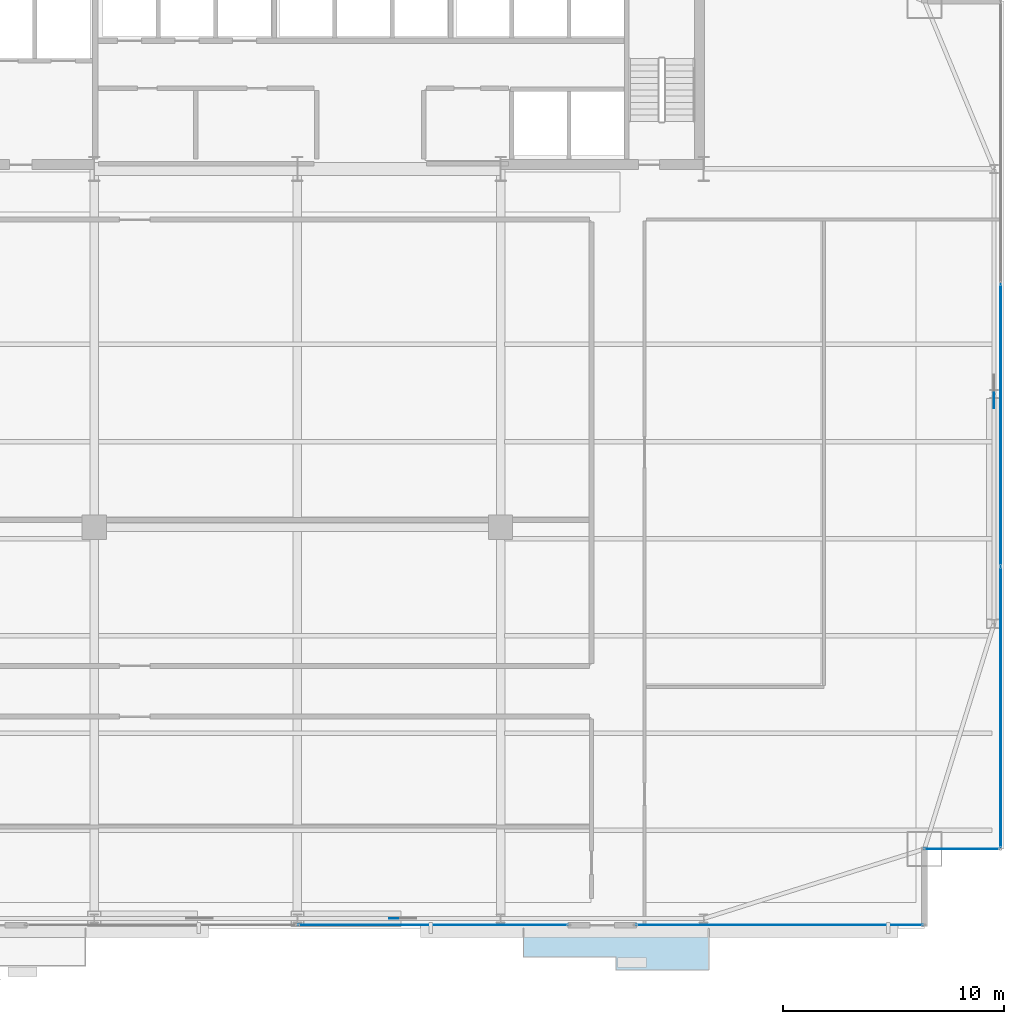
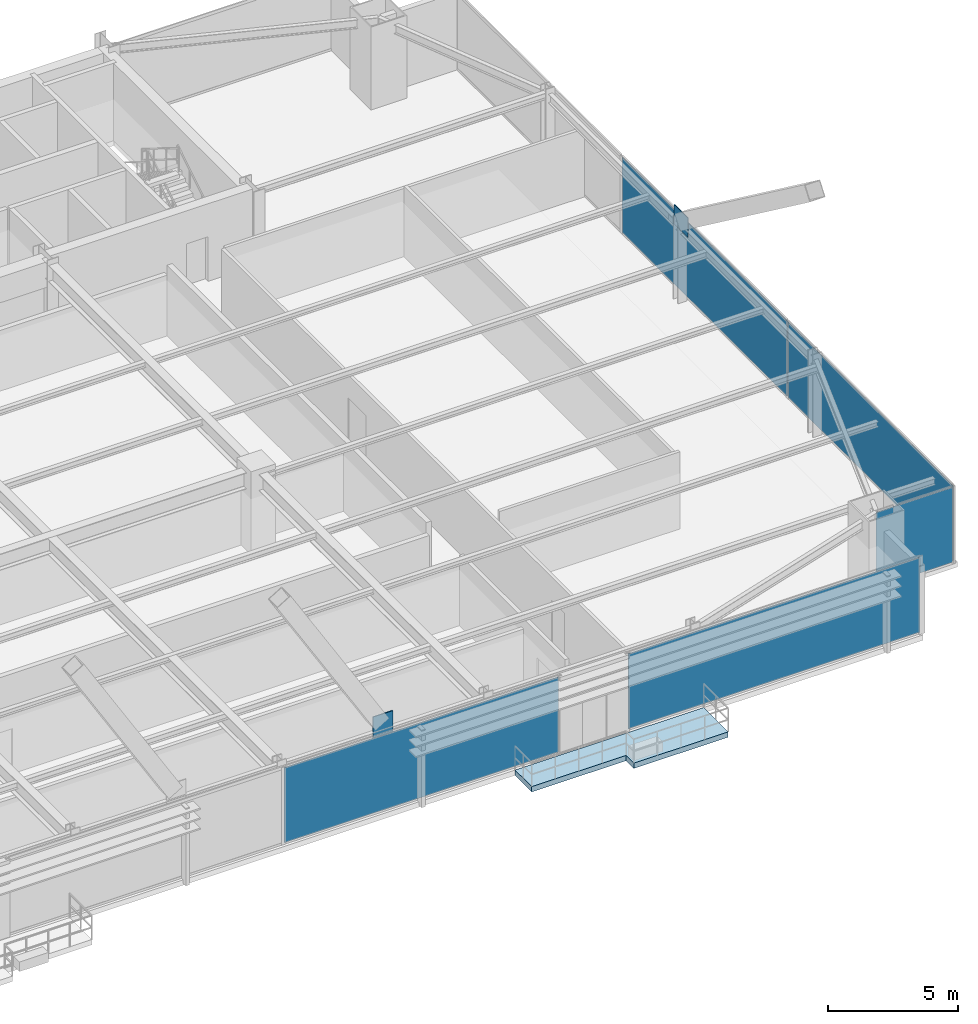
# One storey, part 26 of 34: 7 plates, 1 slab, 4 elements without a shape of their own.
"""IFC4 building model written with IfcOpenShell, lengths in metres."""

from ifc_helpers import new_model, si_unit, direction, frame, origin, origin_2d, place, context, subcontext, project, spatial, polyline, rectangle, outline, extrude, source, transform, mapped, material, layer, layer_set, type_object, type_shapes, element, aggregate, save


model = new_model("IFC4")

# Units and contexts
model_context = context("Model", 3, precision=1e-05, world=origin(), true_north=direction((0.0, 1.0)))
body_context = subcontext(model_context, "Body", "Model", "MODEL_VIEW")
ifc_project = project(units=[si_unit("LENGTHUNIT", "METRE"), si_unit("AREAUNIT", "SQUARE_METRE"), si_unit("VOLUMEUNIT", "CUBIC_METRE"), si_unit("PLANEANGLEUNIT", "RADIAN"), si_unit("MASSUNIT", "GRAM", prefix="KILO")], contexts=[model_context])

# Site, building, storey
site_placement = place(None, origin())
site = spatial("IfcSite", under=ifc_project, at=site_placement, CompositionType="ELEMENT")
building_placement = place(site_placement, origin())
building = spatial("IfcBuilding", under=site, at=building_placement, Name="Varnel Quay Broadcast Tower", CompositionType="ELEMENT")
storey_placement = place(building_placement, frame((0.0, 0.0, 47.10009765625)))
storey = spatial("IfcBuildingStorey", under=building, at=storey_placement, Name="L10", CompositionType="ELEMENT", Elevation=47.10009765625)

# Slab
ifc_material_1 = material(Name="Concrete CSA A23.3 C40/50", Category="concrete")
ifc_layer_1 = layer(ifc_material_1, 0.25, Name="Concrete CSA A23.3 C40/50")
ifc_layer_set_1 = layer_set([ifc_layer_1], Name="Concrete CSA A23.3 C40/50")
slab_type = type_object("IfcSlabType", Name="Slab_ExtTerrace250", PredefinedType="FLOOR", material=ifc_layer_set_1)
slab_placement = place(storey_placement, frame((0.0, 0.0, -0.25)))
element("IfcSlab", 1, at=slab_placement, inside=storey, type_object=slab_type, Name="L10 Planted Lobe Terrace Slab 2", PredefinedType="FLOOR", context=body_context, shape_type="SweptSolid", body=[
    extrude(outline(polyline([(44.22998046875, -0.090087890625), (48.429931640625, -0.090087890625), (48.429931640625, -0.68994140625), (52.6298828125, -0.68994140625), (52.6298828125, 1.199951171875), (44.22998046875, 1.199951171875), (44.22998046875, -0.090087890625)])), origin(), (0.0, 0.0, 1.0), 0.25),
])

# Plates
ifc_material_2 = material(Name="Structural Steel CSA G40.21 350WT", Category="steel")
ifc_layer_2 = layer(ifc_material_2, 0.0400390625, Name="Structural Steel CSA G40.21 350WT")
ifc_layer_set_2 = layer_set([ifc_layer_2], Name="Structural Steel CSA G40.21 350WT")
plate_type_1 = type_object("IfcPlateType", Name="Plate_MegaGusset", PredefinedType="USERDEFINED", material=ifc_layer_set_2)
shared_shape_1 = source(origin(), body_context, "Body", "SweptSolid", [
    extrude(rectangle(XDim=0.8740234375, YDim=0.0400390625, at=origin_2d()), origin(), (0.0, 0.0, 1.0), 1.162109375),
])
plate_1_placement = place(storey_placement, frame((38.60009765625, 1.64990234375, 3.19384765625), z_axis=(0.0, 0.0, 1.0), x_axis=(1.0, 0.0, 0.0)))
element("IfcPlate", 2, at=plate_1_placement, inside=storey, type_object=plate_type_1, Name="Zone 1 Mega-Brace S-C2T2 Central X-Crossing Gusset Plate", ObjectType="GUSSET_PLATE", PredefinedType="USERDEFINED", context=body_context, shape_type="MappedRepresentation", body=[
    mapped(shared_shape_1, transform((0.0, 0.0, 0.0), x_axis=(1.0, 0.0, 0.0), y_axis=(0.0, 1.0, 0.0), z_axis=(0.0, 0.0, 1.0), scale=1.0)),
])
shared_shape_2 = source(origin(), body_context, "Body", "SweptSolid", [
    extrude(rectangle(XDim=1.06689453125, YDim=0.0400390625, at=origin_2d()), origin(), (0.0, 0.0, 1.0), 0.906005859375),
])
type_shapes(plate_type_1, [shared_shape_1, shared_shape_2])
plate_2_placement = place(storey_placement, frame((65.550048828125, 25.300048828125, 3.32177734375), z_axis=(0.0, 0.0, 1.0), x_axis=(0.0, 1.0, 0.0)))
element("IfcPlate", 3, at=plate_2_placement, inside=storey, type_object=plate_type_1, Name="Zone 1 Mega-Brace E-FT2 Central X-Crossing Gusset Plate", ObjectType="GUSSET_PLATE", PredefinedType="USERDEFINED", context=body_context, shape_type="MappedRepresentation", body=[
    mapped(shared_shape_2, transform((0.0, 0.0, 0.0), x_axis=(1.0, 0.0, 0.0), y_axis=(0.0, 1.0, 0.0), z_axis=(0.0, 0.0, 1.0), scale=1.0)),
])

# Curtain wall, plate
ifc_material_3 = material(Name="Anodised Bronze Aluminium 6063-T6", Category="aluminium")
ifc_layer_3 = layer(ifc_material_3, 0.18994140625, Name="Anodised Bronze Aluminium 6063-T6")
ifc_layer_set_3 = layer_set([ifc_layer_3], Name="Anodised Bronze Aluminium 6063-T6")
curtain_wall_type_1 = type_object("IfcCurtainWallType", Name="CW_LowerTower", PredefinedType="NOTDEFINED", material=ifc_layer_set_3)
curtain_wall_1_placement = place(storey_placement, origin())
curtain_wall_1 = element("IfcCurtainWall", 4, at=curtain_wall_1_placement, inside=storey, type_object=curtain_wall_type_1, Name="L10 South Unitised Curtain Wall 3", PredefinedType="NOTDEFINED")
ifc_material_4 = material(Name="Triple-Glazed Bronze Low-E Architectural Glass", Category="glass")
ifc_layer_4 = layer(ifc_material_4, 0.031982421875, Name="Triple-Glazed Bronze Low-E Architectural Glass")
ifc_layer_set_4 = layer_set([ifc_layer_4], Name="Triple-Glazed Bronze Low-E Architectural Glass")
plate_type_2 = type_object("IfcPlateType", Name="Panel_CWS-02", PredefinedType="CURTAIN_PANEL", material=ifc_layer_set_4)
shared_shape_3 = source(origin(), body_context, "Body", "SweptSolid", [
    extrude(rectangle(XDim=12.97998046875, YDim=0.031982421875, at=origin_2d()), origin(), (0.0, 0.0, 1.0), 3.530029296875),
])
plate_3_placement = place(storey_placement, frame((55.840087890625, 1.35009765625, 0.06005859375), z_axis=(0.0, 0.0, 1.0), x_axis=(1.0, 0.0, 0.0)))
plate_3 = element("IfcPlate", 5, at=plate_3_placement, type_object=plate_type_2, Name="CWS-02 panel 1.1", PredefinedType="CURTAIN_PANEL", context=body_context, shape_type="MappedRepresentation", body=[
    mapped(shared_shape_3, transform((0.0, 0.0, 0.0), x_axis=(1.0, 0.0, 0.0), y_axis=(0.0, 1.0, 0.0), z_axis=(0.0, 0.0, 1.0), scale=1.0)),
])
aggregate(curtain_wall_1, [plate_3])

curtain_wall_2_placement = place(storey_placement, origin())
curtain_wall_2 = element("IfcCurtainWall", 6, at=curtain_wall_2_placement, inside=storey, type_object=curtain_wall_type_1, Name="L10 South Unitised Curtain Wall 2", PredefinedType="NOTDEFINED")
ifc_material_5 = material(Name="Insulated Bronze Spandrel Glass", Category="glass")
ifc_layer_5 = layer(ifc_material_5, 0.031982421875, Name="Insulated Bronze Spandrel Glass")
ifc_layer_set_5 = layer_set([ifc_layer_5], Name="Insulated Bronze Spandrel Glass")
plate_type_3 = type_object("IfcPlateType", Name="PanelSp_CWS-02", PredefinedType="CURTAIN_PANEL", material=ifc_layer_set_5)
shared_shape_4 = source(origin(), body_context, "Body", "SweptSolid", [
    extrude(rectangle(XDim=12.215087890625, YDim=0.031982421875, at=origin_2d()), origin(), (0.0, 0.0, 1.0), 3.530029296875),
])
plate_4_placement = place(storey_placement, frame((40.142578125, 1.35009765625, 0.06005859375), z_axis=(0.0, 0.0, 1.0), x_axis=(1.0, 0.0, 0.0)))
plate_4 = element("IfcPlate", 7, at=plate_4_placement, type_object=plate_type_3, Name="CWS-02 panel 2.1", PredefinedType="CURTAIN_PANEL", context=body_context, shape_type="MappedRepresentation", body=[
    mapped(shared_shape_4, transform((0.0, 0.0, 0.0), x_axis=(1.0, 0.0, 0.0), y_axis=(0.0, 1.0, 0.0), z_axis=(0.0, 0.0, 1.0), scale=1.0)),
])
aggregate(curtain_wall_2, [plate_4])

curtain_wall_3_placement = place(storey_placement, origin())
curtain_wall_3 = element("IfcCurtainWall", 8, at=curtain_wall_3_placement, inside=storey, type_object=curtain_wall_type_1, Name="L10 East Unitised Curtain Wall", PredefinedType="NOTDEFINED")
shared_shape_5 = source(origin(), body_context, "Body", "SweptSolid", [
    extrude(rectangle(XDim=12.72998046875, YDim=0.031982421875, at=origin_2d()), origin(), (0.0, 0.0, 1.0), 3.530029296875),
])
type_shapes(plate_type_3, [shared_shape_4, shared_shape_5])
plate_5_placement = place(storey_placement, frame((65.85009765625, 24.0, 0.06005859375), z_axis=(0.0, 0.0, 1.0), x_axis=(0.0, 1.0, 0.0)))
plate_5 = element("IfcPlate", 9, at=plate_5_placement, type_object=plate_type_3, Name="CWS-02 panel 2.1", PredefinedType="CURTAIN_PANEL", context=body_context, shape_type="MappedRepresentation", body=[
    mapped(shared_shape_5, transform((0.0, 0.0, 0.0), x_axis=(1.0, 0.0, 0.0), y_axis=(0.0, 1.0, 0.0), z_axis=(0.0, 0.0, 1.0), scale=1.0)),
])

ifc_layer_6 = layer(ifc_material_3, 0.18994140625, Name="Anodised Bronze Aluminium 6063-T6")
ifc_layer_set_6 = layer_set([ifc_layer_6], Name="Anodised Bronze Aluminium 6063-T6")
curtain_wall_type_2 = type_object("IfcCurtainWallType", Name="CW_NotchCorner", PredefinedType="NOTDEFINED", material=ifc_layer_set_6)
curtain_wall_4_placement = place(storey_placement, origin())
curtain_wall_4 = element("IfcCurtainWall", 10, at=curtain_wall_4_placement, inside=storey, type_object=curtain_wall_type_2, Name="L10 SE Notch Curtain Wall", PredefinedType="NOTDEFINED")
ifc_layer_7 = layer(ifc_material_4, 0.028076171875, Name="Triple-Glazed Bronze Low-E Architectural Glass")
ifc_layer_set_7 = layer_set([ifc_layer_7], Name="Triple-Glazed Bronze Low-E Architectural Glass")
plate_type_4 = type_object("IfcPlateType", Name="Panel_CWS-04", PredefinedType="CURTAIN_PANEL", material=ifc_layer_set_7)
shared_shape_6 = source(origin(), body_context, "Body", "SweptSolid", [
    extrude(rectangle(XDim=3.409912109375, YDim=0.028076171875, at=origin_2d()), origin(), (0.0, 0.0, 1.0), 3.5400390625),
])
type_shapes(plate_type_4, [shared_shape_6])
plate_6_placement = place(storey_placement, frame((64.0849609375, 4.800048828125, 0.054931640625), z_axis=(0.0, 0.0, 1.0), x_axis=(1.0, 0.0, 0.0)))
plate_6 = element("IfcPlate", 11, at=plate_6_placement, type_object=plate_type_4, Name="CWS-04 panel 1.1", PredefinedType="CURTAIN_PANEL", context=body_context, shape_type="MappedRepresentation", body=[
    mapped(shared_shape_6, transform((0.0, 0.0, 0.0), x_axis=(1.0, 0.0, 0.0), y_axis=(0.0, 1.0, 0.0), z_axis=(0.0, 0.0, 1.0), scale=1.0)),
])
aggregate(curtain_wall_4, [plate_6])

# Plate
shared_shape_7 = source(origin(), body_context, "Body", "SweptSolid", [
    extrude(rectangle(XDim=12.695068359375, YDim=0.031982421875, at=origin_2d()), origin(), (0.0, 0.0, 1.0), 3.530029296875),
])
type_shapes(plate_type_2, [shared_shape_3, shared_shape_7])
plate_7_placement = place(storey_placement, frame((65.85009765625, 11.217529296875, 0.06005859375), z_axis=(0.0, 0.0, 1.0), x_axis=(0.0, 1.0, 0.0)))
plate_7 = element("IfcPlate", 12, at=plate_7_placement, type_object=plate_type_2, Name="CWS-02 panel 1.1", PredefinedType="CURTAIN_PANEL", context=body_context, shape_type="MappedRepresentation", body=[
    mapped(shared_shape_7, transform((0.0, 0.0, 0.0), x_axis=(1.0, 0.0, 0.0), y_axis=(0.0, 1.0, 0.0), z_axis=(0.0, 0.0, 1.0), scale=1.0)),
])

aggregate(curtain_wall_3, [plate_7, plate_5])

save(model, "model.ifc")
